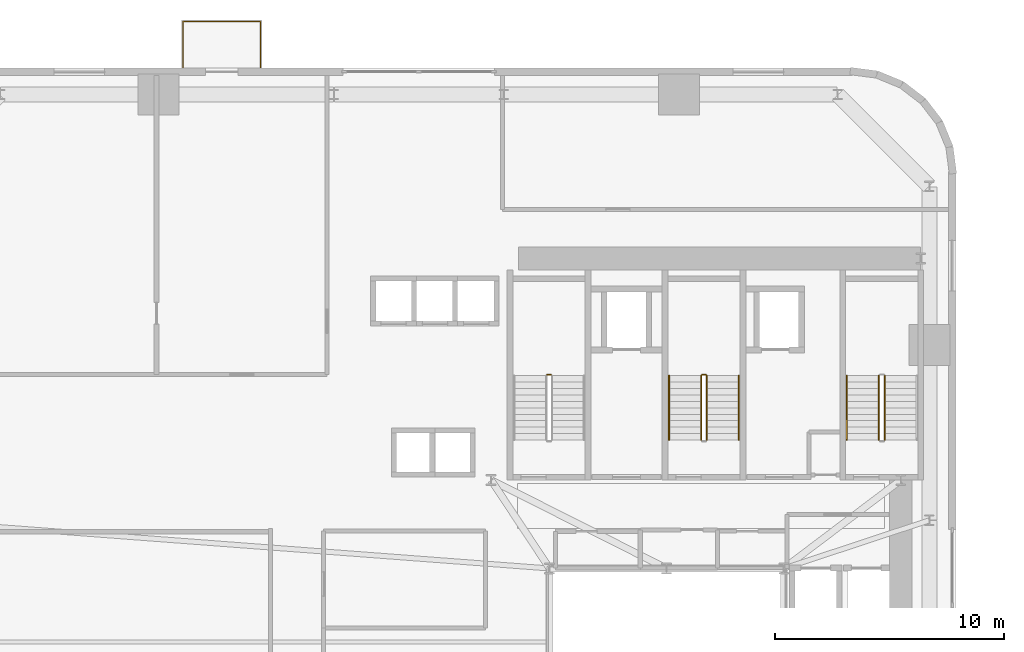
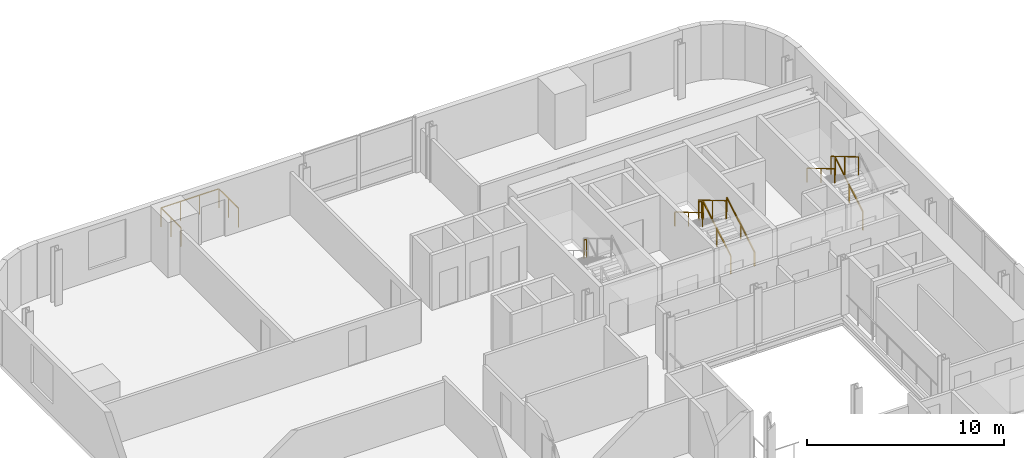
# One storey, part 12 of 13: 10 railings.
"""IFC4 building model written with IfcOpenShell, lengths in metres."""

from ifc_helpers import new_model, si_unit, direction, frame, origin, origin_2d, place, context, subcontext, project, spatial, rectangle, extrude, source, transform, mapped, material, type_object, element, save


model = new_model("IFC4")

# Units and contexts
model_context = context("Model", 3, precision=1e-05, world=origin(), true_north=direction((0.0, 1.0)))
body_context = subcontext(model_context, "Body", "Model", "MODEL_VIEW")
ifc_project = project(units=[si_unit("LENGTHUNIT", "METRE"), si_unit("AREAUNIT", "SQUARE_METRE"), si_unit("VOLUMEUNIT", "CUBIC_METRE"), si_unit("PLANEANGLEUNIT", "RADIAN"), si_unit("MASSUNIT", "GRAM", prefix="KILO")], contexts=[model_context])

# Site, building, storey
site_placement = place(None, origin())
site = spatial("IfcSite", under=ifc_project, at=site_placement, CompositionType="ELEMENT")
building_placement = place(site_placement, origin())
building = spatial("IfcBuilding", under=site, at=building_placement, Name="Vardaveli Station Tower", CompositionType="ELEMENT")
storey_placement = place(building_placement, frame((0.0, 0.0, 45.85009765625)))
storey = spatial("IfcBuildingStorey", under=building, at=storey_placement, Name="L11", CompositionType="ELEMENT", Elevation=45.85009765625)

# Railings
ifc_material_1 = material(Name="Laminated glass and stainless steel balustrade", Category="steel")
railing_type_1 = type_object("IfcRailingType", Name="RL-BAL-1200", PredefinedType="BALUSTRADE", material=ifc_material_1)
shared_shape_1 = source(origin(), body_context, "Body", "SweptSolid", [
    extrude(rectangle(XDim=0.048095703125, YDim=0.048095703125, at=origin_2d()), frame((0.0, 0.0, 1.17578125), z_axis=(0.0, 1.0, 0.0), x_axis=(-1.0, 0.0, 0.0)), (0.0, 0.0, 1.0), 2.0),
    extrude(rectangle(XDim=0.048095703125, YDim=0.048095703125, at=origin_2d()), frame((0.0, 2.0, 1.17578125), z_axis=(1.0, 0.0, 0.0), x_axis=(0.0, 1.0, 0.0)), (0.0, 0.0, 1.0), 3.3798828125),
    extrude(rectangle(XDim=0.048095703125, YDim=0.048095703125, at=origin_2d()), frame((3.3798828125, 2.0, 1.17578125), z_axis=(0.0, -1.0, 0.0), x_axis=(1.0, 0.0, 0.0)), (0.0, 0.0, 1.0), 2.0),
    extrude(rectangle(XDim=0.0419921875, YDim=0.0419921875, at=origin_2d()), origin(), (0.0, 0.0, 1.0), 1.15185546875),
    extrude(rectangle(XDim=0.0419921875, YDim=0.0419921875, at=origin_2d()), frame((0.0, 1.0, 0.0)), (0.0, 0.0, 1.0), 1.15185546875),
    extrude(rectangle(XDim=0.0419921875, YDim=0.0419921875, at=origin_2d()), frame((0.0, 2.0, 0.0)), (0.0, 0.0, 1.0), 1.15185546875),
    extrude(rectangle(XDim=0.0419921875, YDim=0.0419921875, at=origin_2d()), frame((1.126708984375, 2.0, 0.0)), (0.0, 0.0, 1.0), 1.15185546875),
    extrude(rectangle(XDim=0.0419921875, YDim=0.0419921875, at=origin_2d()), frame((2.253173828125, 2.0, 0.0)), (0.0, 0.0, 1.0), 1.15185546875),
    extrude(rectangle(XDim=0.0419921875, YDim=0.0419921875, at=origin_2d()), frame((3.3798828125, 2.0, 0.0)), (0.0, 0.0, 1.0), 1.15185546875),
    extrude(rectangle(XDim=0.0419921875, YDim=0.0419921875, at=origin_2d()), frame((3.3798828125, 1.0, 0.0)), (0.0, 0.0, 1.0), 1.15185546875),
    extrude(rectangle(XDim=0.0419921875, YDim=0.0419921875, at=origin_2d()), frame((3.3798828125, 0.0, 0.0)), (0.0, 0.0, 1.0), 1.15185546875),
])
railing_1_placement = place(storey_placement, frame((15.220458984375, 48.639892578125, 0.0)))
element("IfcRailing", 1, at=railing_1_placement, inside=storey, type_object=railing_type_1, Name="RL-LOG-L11-02", PredefinedType="BALUSTRADE", context=body_context, shape_type="MappedRepresentation", body=[
    mapped(shared_shape_1, transform((0.0, 0.0, 0.0), scale=1.0)),
])
ifc_material_2 = material(Name="Brushed AISI 316 stainless steel", Category="steel")
railing_type_2 = type_object("IfcRailingType", Name="RL-GUARD-1150", PredefinedType="GUARDRAIL", material=ifc_material_2)
shared_shape_2 = source(origin(), body_context, "Body", "SweptSolid", [
    extrude(rectangle(XDim=0.048095703125, YDim=0.048095703125, at=origin_2d()), frame((0.0, 0.0, 1.1259765625), z_axis=(-1.0, 0.0, 0.0), x_axis=(0.0, -1.0, 0.0)), (0.0, 0.0, 1.0), 0.14990234375),
    extrude(rectangle(XDim=0.0419921875, YDim=0.0419921875, at=origin_2d()), origin(), (0.0, 0.0, 1.0), 1.101806640625),
    extrude(rectangle(XDim=0.0419921875, YDim=0.0419921875, at=origin_2d()), frame((-0.14990234375, 0.0, 0.0)), (0.0, 0.0, 1.0), 1.101806640625),
])
for number, where, name in (
    (2, (31.25, 35.25, 1.824951171875), "L11 ST-1 stair guard 2"),
    (3, (38.0, 35.25, 1.824951171875), "L11 ST-2 stair guard 2"),
):
    element("IfcRailing", number, at=place(storey_placement, frame(where)), inside=storey, type_object=railing_type_2, Name=name, PredefinedType="GUARDRAIL", context=body_context, shape_type="MappedRepresentation", body=[
        mapped(shared_shape_2, transform((0.0, 0.0, 0.0), scale=1.0)),
    ])
shared_shape_3 = source(origin(), body_context, "Body", "SweptSolid", [
    extrude(rectangle(XDim=0.048095703125, YDim=0.048095703125, at=origin_2d()), frame((0.0, 0.0, 1.1259765625), z_axis=(0.0, 0.860306154799, 0.50977771628), x_axis=(-1.0, 0.0, 0.0)), (0.0, 0.0, 1.0), 3.254638671875),
    extrude(rectangle(XDim=0.0419921875, YDim=0.0419921875, at=origin_2d()), origin(), (0.0, 0.0, 1.0), 1.101806640625),
    extrude(rectangle(XDim=0.0419921875, YDim=0.0419921875, at=origin_2d()), frame((0.0, 1.39990234375, 0.82958984375)), (0.0, 0.0, 1.0), 1.101806640625),
    extrude(rectangle(XDim=0.0419921875, YDim=0.0419921875, at=origin_2d()), frame((0.0, 2.800048828125, 1.6591796875)), (0.0, 0.0, 1.0), 1.101806640625),
])
for number, where, name in (
    (4, (38.050048828125, 32.39990234375, 0.165771484375), "L11 ST-2 stair guard 1"),
    (5, (45.800048828125, 32.39990234375, 0.165771484375), "L11 ST-3 stair guard 1"),
):
    element("IfcRailing", number, at=place(storey_placement, frame(where)), inside=storey, type_object=railing_type_2, Name=name, PredefinedType="GUARDRAIL", context=body_context, shape_type="MappedRepresentation", body=[
        mapped(shared_shape_3, transform((0.0, 0.0, 0.0), scale=1.0)),
    ])
shared_shape_4 = source(origin(), body_context, "Body", "SweptSolid", [
    extrude(rectangle(XDim=0.048095703125, YDim=0.048095703125, at=origin_2d()), frame((0.0, 0.0, 1.1259765625), z_axis=(0.0, -0.860306154799, 0.50977771628), x_axis=(1.0, 0.0, 0.0)), (0.0, 0.0, 1.0), 3.254638671875),
    extrude(rectangle(XDim=0.0419921875, YDim=0.0419921875, at=origin_2d()), origin(), (0.0, 0.0, 1.0), 1.101806640625),
    extrude(rectangle(XDim=0.0419921875, YDim=0.0419921875, at=origin_2d()), frame((0.0, -1.39990234375, 0.82958984375)), (0.0, 0.0, 1.0), 1.101806640625),
    extrude(rectangle(XDim=0.0419921875, YDim=0.0419921875, at=origin_2d()), frame((0.0, -2.800048828125, 1.6591796875)), (0.0, 0.0, 1.0), 1.101806640625),
])
for number, where, name in (
    (6, (37.800048828125, 35.199951171875, 1.99072265625), "L11 ST-2 stair guard 3"),
    (7, (45.550048828125, 35.199951171875, 1.99072265625), "L11 ST-3 stair guard 3"),
):
    element("IfcRailing", number, at=place(storey_placement, frame(where)), inside=storey, type_object=railing_type_2, Name=name, PredefinedType="GUARDRAIL", context=body_context, shape_type="MappedRepresentation", body=[
        mapped(shared_shape_4, transform((0.0, 0.0, 0.0), scale=1.0)),
    ])
railing_type_3 = type_object("IfcRailingType", Name="RL-HAND-900", PredefinedType="HANDRAIL", material=ifc_material_2)
shared_shape_5 = source(origin(), body_context, "Body", "SweptSolid", [
    extrude(rectangle(XDim=0.048095703125, YDim=0.048095703125, at=origin_2d()), frame((0.0, 0.0, 0.8759765625), z_axis=(0.0, 0.860306154799, 0.50977771628), x_axis=(-1.0, 0.0, 0.0)), (0.0, 0.0, 1.0), 3.254638671875),
    extrude(rectangle(XDim=0.0419921875, YDim=0.0419921875, at=origin_2d()), origin(), (0.0, 0.0, 1.0), 0.851806640625),
    extrude(rectangle(XDim=0.0419921875, YDim=0.0419921875, at=origin_2d()), frame((0.0, 1.39990234375, 0.82958984375)), (0.0, 0.0, 1.0), 0.851806640625),
    extrude(rectangle(XDim=0.0419921875, YDim=0.0419921875, at=origin_2d()), frame((0.0, 2.800048828125, 1.6591796875)), (0.0, 0.0, 1.0), 0.851806640625),
])
railing_2_placement = place(storey_placement, frame((39.449951171875, 32.39990234375, 0.165771484375)))
element("IfcRailing", 8, at=railing_2_placement, inside=storey, type_object=railing_type_3, Name="L11 ST-2 stair handrail 1", PredefinedType="HANDRAIL", context=body_context, shape_type="MappedRepresentation", body=[
    mapped(shared_shape_5, transform((0.0, 0.0, 0.0), scale=1.0)),
])
shared_shape_6 = source(origin(), body_context, "Body", "SweptSolid", [
    extrude(rectangle(XDim=0.048095703125, YDim=0.048095703125, at=origin_2d()), frame((0.0, 0.0, 0.8759765625), z_axis=(0.0, -0.860306154799, 0.50977771628), x_axis=(1.0, 0.0, 0.0)), (0.0, 0.0, 1.0), 3.254638671875),
    extrude(rectangle(XDim=0.0419921875, YDim=0.0419921875, at=origin_2d()), origin(), (0.0, 0.0, 1.0), 0.851806640625),
    extrude(rectangle(XDim=0.0419921875, YDim=0.0419921875, at=origin_2d()), frame((0.0, -1.39990234375, 0.82958984375)), (0.0, 0.0, 1.0), 0.851806640625),
    extrude(rectangle(XDim=0.0419921875, YDim=0.0419921875, at=origin_2d()), frame((0.0, -2.800048828125, 1.6591796875)), (0.0, 0.0, 1.0), 0.851806640625),
])
for number, where, name in (
    (9, (36.39990234375, 35.199951171875, 1.99072265625), "L11 ST-2 stair handrail 2"),
    (10, (44.14990234375, 35.199951171875, 1.99072265625), "L11 ST-3 stair handrail 2"),
):
    element("IfcRailing", number, at=place(storey_placement, frame(where)), inside=storey, type_object=railing_type_3, Name=name, PredefinedType="HANDRAIL", context=body_context, shape_type="MappedRepresentation", body=[
        mapped(shared_shape_6, transform((0.0, 0.0, 0.0), scale=1.0)),
    ])

save(model, "model.ifc")
